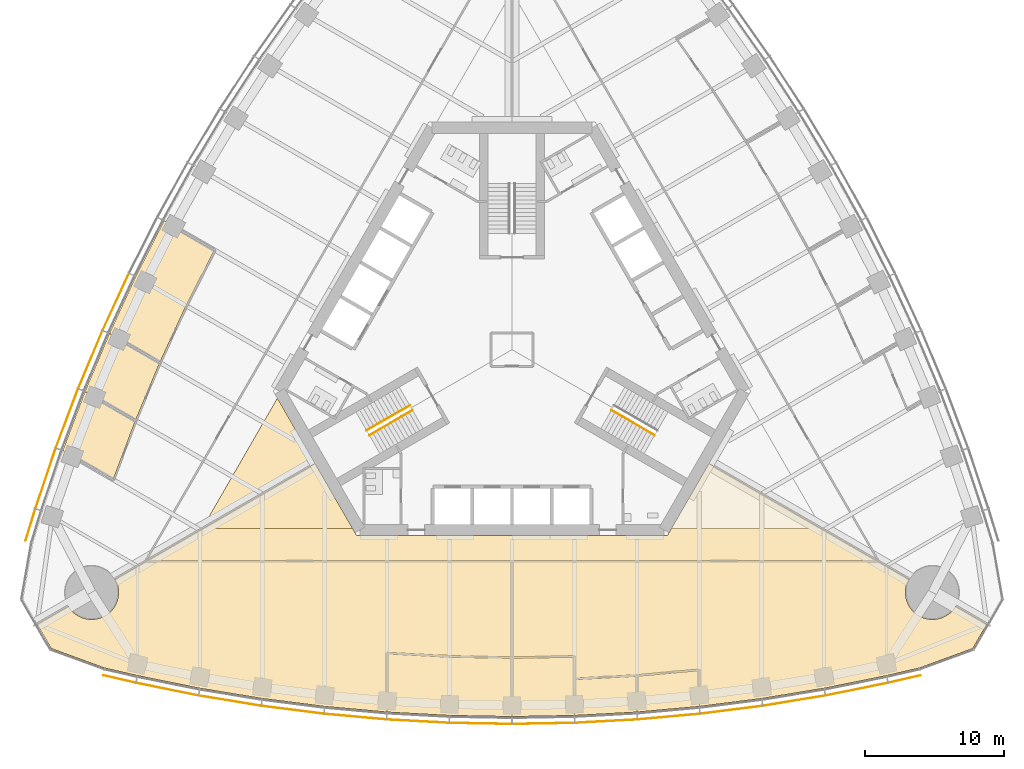
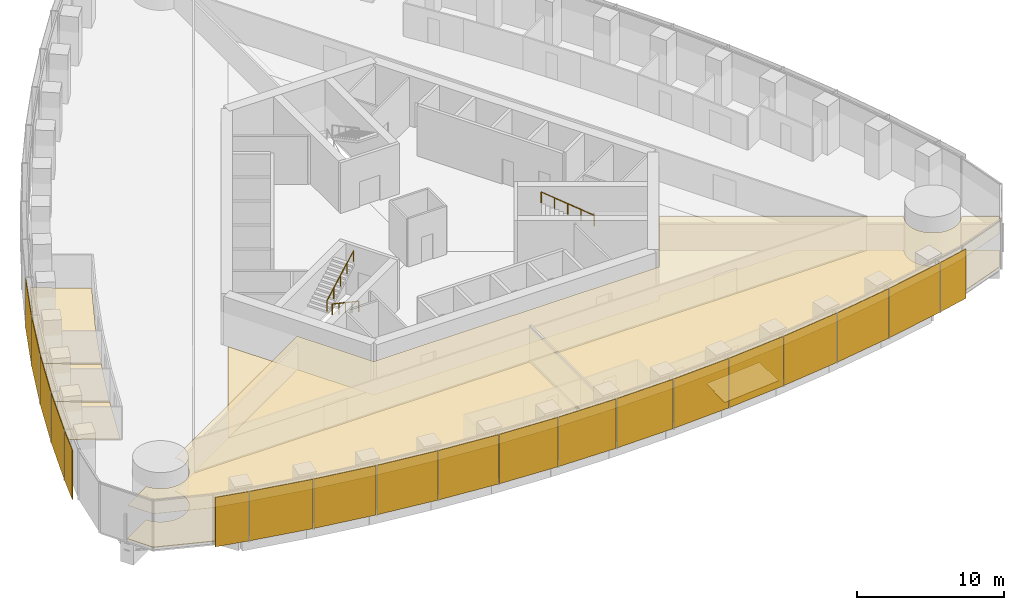
# One storey, part 15 of 19: 19 shading devices, 13 coverings, 3 railings.
"""IFC4 building model written with IfcOpenShell, lengths in metres."""

from ifc_helpers import new_model, si_unit, direction, frame, origin, origin_2d, place, context, subcontext, project, spatial, polyline, rectangle, circle, outline, extrude, material, layer, layer_set, type_object, element, save


model = new_model("IFC4")

# Units and contexts
model_context = context("Model", 3, precision=1e-05, world=origin(), true_north=direction((0.0, 1.0)))
body_context = subcontext(model_context, "Body", "Model", "MODEL_VIEW")
ifc_project = project(units=[si_unit("LENGTHUNIT", "METRE"), si_unit("AREAUNIT", "SQUARE_METRE"), si_unit("VOLUMEUNIT", "CUBIC_METRE"), si_unit("PLANEANGLEUNIT", "RADIAN"), si_unit("MASSUNIT", "GRAM", prefix="KILO")], contexts=[model_context])

# Site, building, storey
site_placement = place(None, origin())
site = spatial("IfcSite", under=ifc_project, at=site_placement, CompositionType="ELEMENT")
building_placement = place(site_placement, origin())
building = spatial("IfcBuilding", under=site, at=building_placement, Name="Trefoil Bronze Tower", CompositionType="ELEMENT")
storey_placement = place(building_placement, frame((0.0, 0.0, 119.89990234375)))
storey = spatial("IfcBuildingStorey", under=building, at=storey_placement, Name="L27", CompositionType="ELEMENT", Elevation=119.89990234375)

# Shading devices
ifc_material_1 = material(Name="Perforated bronze sheet", Category="bronze")
ifc_layer_1 = layer(ifc_material_1, 0.0400390625)
ifc_layer_set_1 = layer_set([ifc_layer_1], Name="Bronze solar screen panel")
shading_device_type = type_object("IfcShadingDeviceType", Name="Bronze solar screen panel", PredefinedType="SHUTTER", material=ifc_layer_set_1)
shading_device_1_placement = place(storey_placement, frame((-28.30078125, -23.748779296875, 0.050048828125), z_axis=(0.0, 0.0, 1.0), x_axis=(0.97420444715, -0.225667222151, 0.0)))
element("IfcShadingDevice", 1, at=shading_device_1_placement, inside=storey, type_object=shading_device_type, Name="Solar screen CW-A L27 F1 bay 1", PredefinedType="SHUTTER", context=body_context, shape_type="SweptSolid", body=[
    extrude(rectangle(XDim=2.39013671875, YDim=0.0400390625, at=origin_2d()), origin(), (0.0, 0.0, 1.0), 4.10009765625),
])
shading_device_2_placement = place(storey_placement, frame((-24.85693359375, -24.480224609375, 0.050048828125), z_axis=(0.0, 0.0, 1.0), x_axis=(0.980155155547, -0.198231861853, 0.0)))
element("IfcShadingDevice", 2, at=shading_device_2_placement, inside=storey, type_object=shading_device_type, Name="Solar screen CW-A L27 F1 bay 2", PredefinedType="SHUTTER", context=body_context, shape_type="SweptSolid", body=[
    extrude(rectangle(XDim=4.56103515625, YDim=0.0400390625, at=origin_2d()), origin(), (0.0, 0.0, 1.0), 4.10009765625),
])
shading_device_3_placement = place(storey_placement, frame((-20.337646484375, -25.30859375, 0.050048828125), z_axis=(0.0, 0.0, 1.0), x_axis=(0.986759655731, -0.162189339418, 0.0)))
element("IfcShadingDevice", 3, at=shading_device_3_placement, inside=storey, type_object=shading_device_type, Name="Solar screen CW-A L27 F1 bay 3", PredefinedType="SHUTTER", context=body_context, shape_type="SweptSolid", body=[
    extrude(rectangle(XDim=4.5302734375, YDim=0.0400390625, at=origin_2d()), origin(), (0.0, 0.0, 1.0), 4.10009765625),
])
shading_device_4_placement = place(storey_placement, frame((-15.818115234375, -25.96728515625, 0.050048828125), z_axis=(0.0, 0.0, 1.0), x_axis=(0.992011554286, -0.126147041833, 0.0)))
element("IfcShadingDevice", 4, at=shading_device_4_placement, inside=storey, type_object=shading_device_type, Name="Solar screen CW-A L27 F1 bay 4", PredefinedType="SHUTTER", context=body_context, shape_type="SweptSolid", body=[
    extrude(rectangle(XDim=4.50634765625, YDim=0.0400390625, at=origin_2d()), origin(), (0.0, 0.0, 1.0), 4.10009765625),
])
shading_device_5_placement = place(storey_placement, frame((-11.298583984375, -26.459228515625, 0.050048828125), z_axis=(0.0, 0.0, 1.0), x_axis=(0.995932279146, -0.090104913044, 0.0)))
element("IfcShadingDevice", 5, at=shading_device_5_placement, inside=storey, type_object=shading_device_type, Name="Solar screen CW-A L27 F1 bay 5", PredefinedType="SHUTTER", context=body_context, shape_type="SweptSolid", body=[
    extrude(rectangle(XDim=4.48828125, YDim=0.0400390625, at=origin_2d()), origin(), (0.0, 0.0, 1.0), 4.10009765625),
])
shading_device_6_placement = place(storey_placement, frame((-6.779296875, -26.785888671875, 0.050048828125), z_axis=(0.0, 0.0, 1.0), x_axis=(0.998537531923, -0.054062901701, 0.0)))
element("IfcShadingDevice", 6, at=shading_device_6_placement, inside=storey, type_object=shading_device_type, Name="Solar screen CW-A L27 F1 bay 6", PredefinedType="SHUTTER", context=body_context, shape_type="SweptSolid", body=[
    extrude(rectangle(XDim=4.4765625, YDim=0.0400390625, at=origin_2d()), origin(), (0.0, 0.0, 1.0), 4.10009765625),
])
for number, where, z_axis, x_axis, name in (
    (7, (-2.259765625, -26.948974609375, 0.050048828125), (0.0, 0.0, 1.0), (0.999837609322, -0.018020959612, 0.0), "Solar screen CW-A L27 F1 bay 7"),
    (8, (2.259765625, -26.948974609375, 0.050048828125), (0.0, 0.0, 1.0), (0.999837609322, 0.018020959612, 0.0), "Solar screen CW-A L27 F1 bay 8"),
):
    element("IfcShadingDevice", number, at=place(storey_placement, frame(where, z_axis=z_axis, x_axis=x_axis)), inside=storey, type_object=shading_device_type, Name=name, PredefinedType="SHUTTER", context=body_context, shape_type="SweptSolid", body=[
        extrude(rectangle(XDim=4.470703125, YDim=0.0400390625, at=origin_2d()), origin(), (0.0, 0.0, 1.0), 4.10009765625),
    ])
shading_device_7_placement = place(storey_placement, frame((6.779296875, -26.785888671875, 0.050048828125), z_axis=(0.0, 0.0, 1.0), x_axis=(0.998537531923, 0.054062901701, 0.0)))
element("IfcShadingDevice", 9, at=shading_device_7_placement, inside=storey, type_object=shading_device_type, Name="Solar screen CW-A L27 F1 bay 9", PredefinedType="SHUTTER", context=body_context, shape_type="SweptSolid", body=[
    extrude(rectangle(XDim=4.4765625, YDim=0.0400390625, at=origin_2d()), origin(), (0.0, 0.0, 1.0), 4.10009765625),
])
shading_device_8_placement = place(storey_placement, frame((11.298583984375, -26.459228515625, 0.050048828125), z_axis=(0.0, 0.0, 1.0), x_axis=(0.995932279146, 0.090104913044, 0.0)))
element("IfcShadingDevice", 10, at=shading_device_8_placement, inside=storey, type_object=shading_device_type, Name="Solar screen CW-A L27 F1 bay 10", PredefinedType="SHUTTER", context=body_context, shape_type="SweptSolid", body=[
    extrude(rectangle(XDim=4.48828125, YDim=0.0400390625, at=origin_2d()), origin(), (0.0, 0.0, 1.0), 4.10009765625),
])
shading_device_9_placement = place(storey_placement, frame((15.818115234375, -25.96728515625, 0.050048828125), z_axis=(0.0, 0.0, 1.0), x_axis=(0.992011554286, 0.126147041833, 0.0)))
element("IfcShadingDevice", 11, at=shading_device_9_placement, inside=storey, type_object=shading_device_type, Name="Solar screen CW-A L27 F1 bay 11", PredefinedType="SHUTTER", context=body_context, shape_type="SweptSolid", body=[
    extrude(rectangle(XDim=4.50634765625, YDim=0.0400390625, at=origin_2d()), origin(), (0.0, 0.0, 1.0), 4.10009765625),
])
shading_device_10_placement = place(storey_placement, frame((20.337646484375, -25.30859375, 0.050048828125), z_axis=(0.0, 0.0, 1.0), x_axis=(0.986759655731, 0.162189339418, 0.0)))
element("IfcShadingDevice", 12, at=shading_device_10_placement, inside=storey, type_object=shading_device_type, Name="Solar screen CW-A L27 F1 bay 12", PredefinedType="SHUTTER", context=body_context, shape_type="SweptSolid", body=[
    extrude(rectangle(XDim=4.5302734375, YDim=0.0400390625, at=origin_2d()), origin(), (0.0, 0.0, 1.0), 4.10009765625),
])
shading_device_11_placement = place(storey_placement, frame((24.85693359375, -24.480224609375, 0.050048828125), z_axis=(0.0, 0.0, 1.0), x_axis=(0.980155155547, 0.198231861853, 0.0)))
element("IfcShadingDevice", 13, at=shading_device_11_placement, inside=storey, type_object=shading_device_type, Name="Solar screen CW-A L27 F1 bay 13", PredefinedType="SHUTTER", context=body_context, shape_type="SweptSolid", body=[
    extrude(rectangle(XDim=4.56103515625, YDim=0.0400390625, at=origin_2d()), origin(), (0.0, 0.0, 1.0), 4.10009765625),
])
shading_device_12_placement = place(storey_placement, frame((28.30078125, -23.748779296875, 0.050048828125), z_axis=(0.0, 0.0, 1.0), x_axis=(0.97420444715, 0.225667222151, 0.0)))
element("IfcShadingDevice", 14, at=shading_device_12_placement, inside=storey, type_object=shading_device_type, Name="Solar screen CW-A L27 F1 bay 14", PredefinedType="SHUTTER", context=body_context, shape_type="SweptSolid", body=[
    extrude(rectangle(XDim=2.39013671875, YDim=0.0400390625, at=origin_2d()), origin(), (0.0, 0.0, 1.0), 4.10009765625),
])
shading_device_13_placement = place(storey_placement, frame((-28.563720703125, 3.444580078125, 0.050048828125), z_axis=(0.0, 0.0, 1.0), x_axis=(-0.419932995871, -0.907555110712, 0.0)))
element("IfcShadingDevice", 15, at=shading_device_13_placement, inside=storey, type_object=shading_device_type, Name="Solar screen CW-A L27 F3 bay 10", PredefinedType="SHUTTER", context=body_context, shape_type="SweptSolid", body=[
    extrude(rectangle(XDim=4.48828125, YDim=0.0400390625, at=origin_2d()), origin(), (0.0, 0.0, 1.0), 4.10009765625),
])
shading_device_14_placement = place(storey_placement, frame((-30.3974609375, -0.715087890625, 0.050048828125), z_axis=(0.0, 0.0, 1.0), x_axis=(-0.386759234303, -0.922180727776, 0.0)))
element("IfcShadingDevice", 16, at=shading_device_14_placement, inside=storey, type_object=shading_device_type, Name="Solar screen CW-A L27 F3 bay 11", PredefinedType="SHUTTER", context=body_context, shape_type="SweptSolid", body=[
    extrude(rectangle(XDim=4.50634765625, YDim=0.0400390625, at=origin_2d()), origin(), (0.0, 0.0, 1.0), 4.10009765625),
])
shading_device_15_placement = place(storey_placement, frame((-32.086669921875, -4.95849609375, 0.050048828125), z_axis=(0.0, 0.0, 1.0), x_axis=(-0.352919739707, -0.935653599002, 0.0)))
element("IfcShadingDevice", 17, at=shading_device_15_placement, inside=storey, type_object=shading_device_type, Name="Solar screen CW-A L27 F3 bay 12", PredefinedType="SHUTTER", context=body_context, shape_type="SweptSolid", body=[
    extrude(rectangle(XDim=4.5302734375, YDim=0.0400390625, at=origin_2d()), origin(), (0.0, 0.0, 1.0), 4.10009765625),
])
shading_device_16_placement = place(storey_placement, frame((-33.62890625, -9.286865234375, 0.050048828125), z_axis=(0.0, 0.0, 1.0), x_axis=(-0.318403749569, -0.947955195281, 0.0)))
element("IfcShadingDevice", 18, at=shading_device_16_placement, inside=storey, type_object=shading_device_type, Name="Solar screen CW-A L27 F3 bay 13", PredefinedType="SHUTTER", context=body_context, shape_type="SweptSolid", body=[
    extrude(rectangle(XDim=4.56103515625, YDim=0.0400390625, at=origin_2d()), origin(), (0.0, 0.0, 1.0), 4.10009765625),
])
shading_device_17_placement = place(storey_placement, frame((-34.717529296875, -12.634765625, 0.050048828125), z_axis=(0.0, 0.0, 1.0), x_axis=(-0.291668676391, -0.956519410787, 0.0)))
element("IfcShadingDevice", 19, at=shading_device_17_placement, inside=storey, type_object=shading_device_type, Name="Solar screen CW-A L27 F3 bay 14", PredefinedType="SHUTTER", context=body_context, shape_type="SweptSolid", body=[
    extrude(rectangle(XDim=2.39013671875, YDim=0.0400390625, at=origin_2d()), origin(), (0.0, 0.0, 1.0), 4.10009765625),
])

# Railings
ifc_material_2 = material(Name="Steel handrail", Category="steel")
railing_type = type_object("IfcRailingType", Name="Handrail 900", PredefinedType="HANDRAIL", material=ifc_material_2)
railing_1_placement = place(storey_placement, frame((10.28369140625, -6.168212890625, 2.26171875)))
element("IfcRailing", 20, at=railing_1_placement, inside=storey, type_object=railing_type, Name="Handrail ST1 flight 2 L27", PredefinedType="HANDRAIL", context=body_context, shape_type="SweptSolid", body=[
    extrude(circle(Radius=0.02392578125, at=origin_2d()), frame((0.0, 0.0, 0.8759765625), z_axis=(-0.76250339821, 0.440245697338, 0.474101564745), x_axis=(-0.500012057535, -0.866018442252, 0.0)), (0.0, 0.0, 1.0), 4.088623046875),
    extrude(circle(Radius=0.02099609375, at=origin_2d()), origin(), (0.0, 0.0, 1.0), 0.851806640625),
    extrude(circle(Radius=0.02099609375, at=origin_2d()), frame((-0.779296875, 0.449951171875, 0.484619140625)), (0.0, 0.0, 1.0), 0.851806640625),
    extrude(circle(Radius=0.02099609375, at=origin_2d()), frame((-1.558837890625, 0.89990234375, 0.96923828125)), (0.0, 0.0, 1.0), 0.851806640625),
    extrude(circle(Radius=0.02099609375, at=origin_2d()), frame((-2.33837890625, 1.35009765625, 1.453857421875)), (0.0, 0.0, 1.0), 0.851806640625),
    extrude(circle(Radius=0.02099609375, at=origin_2d()), frame((-3.11767578125, 1.800048828125, 1.9384765625)), (0.0, 0.0, 1.0), 0.851806640625),
])
railing_2_placement = place(storey_placement, frame((-7.166015625, -4.3681640625, 0.16162109375)))
element("IfcRailing", 21, at=railing_2_placement, inside=storey, type_object=railing_type, Name="Handrail ST3 flight 1 L27", PredefinedType="HANDRAIL", context=body_context, shape_type="SweptSolid", body=[
    extrude(circle(Radius=0.02392578125, at=origin_2d()), frame((0.0, 0.0, 0.8759765625), z_axis=(-0.76250339821, -0.440245697338, 0.474101564745), x_axis=(0.500012057535, -0.866018442252, 0.0)), (0.0, 0.0, 1.0), 4.088623046875),
    extrude(circle(Radius=0.02099609375, at=origin_2d()), origin(), (0.0, 0.0, 1.0), 0.851806640625),
    extrude(circle(Radius=0.02099609375, at=origin_2d()), frame((-0.779296875, -0.449951171875, 0.484619140625)), (0.0, 0.0, 1.0), 0.851806640625),
    extrude(circle(Radius=0.02099609375, at=origin_2d()), frame((-1.558837890625, -0.89990234375, 0.96923828125)), (0.0, 0.0, 1.0), 0.851806640625),
    extrude(circle(Radius=0.02099609375, at=origin_2d()), frame((-2.33837890625, -1.35009765625, 1.453857421875)), (0.0, 0.0, 1.0), 0.851806640625),
    extrude(circle(Radius=0.02099609375, at=origin_2d()), frame((-3.11767578125, -1.800048828125, 1.9384765625)), (0.0, 0.0, 1.0), 0.851806640625),
])
railing_3_placement = place(storey_placement, frame((-10.483642578125, -5.82177734375, 2.26171875)))
element("IfcRailing", 22, at=railing_3_placement, inside=storey, type_object=railing_type, Name="Handrail ST3 flight 2 L27", PredefinedType="HANDRAIL", context=body_context, shape_type="SweptSolid", body=[
    extrude(circle(Radius=0.02392578125, at=origin_2d()), frame((0.0, 0.0, 0.8759765625), z_axis=(0.76250339821, 0.440245697338, 0.474101564745), x_axis=(-0.500012057535, 0.866018442252, 0.0)), (0.0, 0.0, 1.0), 4.088623046875),
    extrude(circle(Radius=0.02099609375, at=origin_2d()), origin(), (0.0, 0.0, 1.0), 0.851806640625),
    extrude(circle(Radius=0.02099609375, at=origin_2d()), frame((0.779296875, 0.449951171875, 0.484619140625)), (0.0, 0.0, 1.0), 0.851806640625),
    extrude(circle(Radius=0.02099609375, at=origin_2d()), frame((1.558837890625, 0.89990234375, 0.96923828125)), (0.0, 0.0, 1.0), 0.851806640625),
    extrude(circle(Radius=0.02099609375, at=origin_2d()), frame((2.33837890625, 1.35009765625, 1.453857421875)), (0.0, 0.0, 1.0), 0.851806640625),
    extrude(circle(Radius=0.02099609375, at=origin_2d()), frame((3.11767578125, 1.800048828125, 1.9384765625)), (0.0, 0.0, 1.0), 0.851806640625),
])

# Coverings
ifc_material_3 = material(Name="Acoustic ceiling panels", Category="mineral fibre")
ifc_layer_2 = layer(ifc_material_3, 0.02001953125)
ifc_layer_set_2 = layer_set([ifc_layer_2], Name="Office ceiling 20")
covering_type_1 = type_object("IfcCoveringType", Name="Office ceiling 20", PredefinedType="CEILING", material=ifc_layer_set_2)
covering_1_placement = place(storey_placement, frame((0.0, 0.0, 2.900146484375)))
element("IfcCovering", 23, at=covering_1_placement, inside=storey, type_object=covering_type_1, Name="Ceiling L27 Trading floor F1", PredefinedType="CEILING", context=body_context, shape_type="SweptSolid", body=[
    extrude(outline(polyline([(-31.932373046875, -18.58349609375), (-31.877197265625, -18.66162109375), (-31.818359375, -18.737060546875), (-31.755615234375, -18.8095703125), (-31.689697265625, -18.87890625), (-31.620361328125, -18.94482421875), (-31.548095703125, -19.00732421875), (-31.472412109375, -19.06640625), (-31.394287109375, -19.121337890625), (-31.3134765625, -19.172607421875), (-31.22998046875, -19.2197265625), (-31.14453125, -19.2626953125), (-31.05712890625, -19.301513671875), (-30.9677734375, -19.3359375), (-30.876953125, -19.365966796875), (-30.78466796875, -19.3916015625), (-30.69140625, -19.41259765625), (-30.596923828125, -19.428955078125), (-30.501953125, -19.440673828125), (-30.406494140625, -19.44775390625), (-30.310791015625, -19.449951171875), (-30.215087890625, -19.44775390625), (-30.119873046875, -19.440673828125), (-30.02490234375, -19.428955078125), (-29.930419921875, -19.41259765625), (-29.837158203125, -19.3916015625), (-29.744873046875, -19.365966796875), (-29.654052734375, -19.3359375), (-29.564697265625, -19.301513671875), (-29.477294921875, -19.2626953125), (-29.3916015625, -19.2197265625), (-29.308349609375, -19.172607421875), (-29.2275390625, -19.121337890625), (-29.1494140625, -19.06640625), (-29.07373046875, -19.00732421875), (-29.001220703125, -18.94482421875), (-28.931884765625, -18.87890625), (-28.865966796875, -18.8095703125), (-28.803466796875, -18.737060546875), (-28.74462890625, -18.66162109375), (-28.689453125, -18.58349609375), (-28.63818359375, -18.50244140625), (-28.591064453125, -18.419189453125), (-28.548095703125, -18.333740234375), (-28.50927734375, -18.24609375), (-28.474853515625, -18.156982421875), (-28.44482421875, -18.066162109375), (-28.419189453125, -17.973876953125), (-28.3984375, -17.88037109375), (-28.382080078125, -17.7861328125), (-28.370361328125, -17.691162109375), (-28.36328125, -17.595703125), (-28.36083984375, -17.5), (-28.36328125, -17.404296875), (-28.370361328125, -17.308837890625), (-28.382080078125, -17.2138671875), (-28.3984375, -17.11962890625), (-28.419189453125, -17.026123046875), (-28.44482421875, -16.933837890625), (-28.474853515625, -16.843017578125), (-28.50927734375, -16.75390625), (-28.548095703125, -16.666259765625), (-28.591064453125, -16.580810546875), (-28.616455078125, -16.535888671875), (-14.19970703125, -8.205322265625), (-11.20068359375, -13.39990234375), (11.20068359375, -13.39990234375), (14.19970703125, -8.205322265625), (28.616455078125, -16.535888671875), (28.591064453125, -16.580810546875), (28.548095703125, -16.666259765625), (28.50927734375, -16.75390625), (28.474853515625, -16.843017578125), (28.44482421875, -16.933837890625), (28.419189453125, -17.026123046875), (28.3984375, -17.11962890625), (28.382080078125, -17.2138671875), (28.370361328125, -17.308837890625), (28.36328125, -17.404296875), (28.36083984375, -17.5), (28.36328125, -17.595703125), (28.370361328125, -17.691162109375), (28.382080078125, -17.7861328125), (28.3984375, -17.88037109375), (28.419189453125, -17.973876953125), (28.44482421875, -18.066162109375), (28.474853515625, -18.156982421875), (28.50927734375, -18.24609375), (28.548095703125, -18.333740234375), (28.591064453125, -18.419189453125), (28.63818359375, -18.50244140625), (28.689453125, -18.58349609375), (28.74462890625, -18.66162109375), (28.803466796875, -18.737060546875), (28.865966796875, -18.8095703125), (28.931884765625, -18.87890625), (29.001220703125, -18.94482421875), (29.07373046875, -19.00732421875), (29.1494140625, -19.06640625), (29.2275390625, -19.121337890625), (29.308349609375, -19.172607421875), (29.3916015625, -19.2197265625), (29.477294921875, -19.2626953125), (29.564697265625, -19.301513671875), (29.654052734375, -19.3359375), (29.744873046875, -19.365966796875), (29.837158203125, -19.3916015625), (29.930419921875, -19.41259765625), (30.02490234375, -19.428955078125), (30.119873046875, -19.440673828125), (30.215087890625, -19.44775390625), (30.310791015625, -19.449951171875), (30.406494140625, -19.44775390625), (30.501953125, -19.440673828125), (30.596923828125, -19.428955078125), (30.69140625, -19.41259765625), (30.78466796875, -19.3916015625), (30.876953125, -19.365966796875), (30.9677734375, -19.3359375), (31.05712890625, -19.301513671875), (31.14453125, -19.2626953125), (31.22998046875, -19.2197265625), (31.3134765625, -19.172607421875), (31.394287109375, -19.121337890625), (31.472412109375, -19.06640625), (31.548095703125, -19.00732421875), (31.620361328125, -18.94482421875), (31.689697265625, -18.87890625), (31.755615234375, -18.8095703125), (31.818359375, -18.737060546875), (31.877197265625, -18.66162109375), (31.932373046875, -18.58349609375), (31.992431640625, -18.48681640625), (34.233154296875, -19.781494140625), (33.21435546875, -21.5458984375), (29.357666015625, -22.94970703125), (27.0, -23.495849609375), (22.5, -24.406005859375), (18.0, -25.1455078125), (13.5, -25.7177734375), (9.0, -26.125), (4.5, -26.36865234375), (0.0, -26.44970703125), (-4.5, -26.36865234375), (-9.0, -26.125), (-13.5, -25.7177734375), (-18.0, -25.1455078125), (-22.5, -24.406005859375), (-27.0, -23.495849609375), (-29.357666015625, -22.94970703125), (-33.21435546875, -21.5458984375), (-34.233154296875, -19.781494140625), (-31.992431640625, -18.48681640625), (-31.932373046875, -18.58349609375)])), origin(), (0.0, 0.0, 1.0), 0.02001953125),
])
ifc_material_4 = material(Name="Raised access floor panels", Category="steel")
ifc_layer_3 = layer(ifc_material_4, 0.050048828125)
ifc_layer_set_3 = layer_set([ifc_layer_3], Name="Raised access floor 150")
covering_type_2 = type_object("IfcCoveringType", Name="Raised access floor 150", PredefinedType="FLOORING", material=ifc_layer_set_3)
covering_2_placement = place(storey_placement, frame((0.0, 0.0, 0.10009765625)))
element("IfcCovering", 24, at=covering_2_placement, inside=storey, type_object=covering_type_2, Name="Raised floor L27 Office F1", PredefinedType="FLOORING", context=body_context, shape_type="SweptSolid", body=[
    extrude(outline(polyline([(-4.5, -26.36865234375), (-9.0, -26.125), (-9.0, -24.64111328125), (-8.93994140625, -24.64111328125), (-8.93994140625, -21.938232421875), (-4.503173828125, -22.178466796875), (-4.5, -22.11865234375), (-4.501220703125, -22.1787109375), (-0.074951171875, -22.25830078125), (-0.074951171875, -24.9697265625), (0.0, -24.9697265625), (0.0, -26.44970703125), (-4.5, -26.36865234375)])), origin(), (0.0, 0.0, 1.0), 0.050048828125),
])
covering_3_placement = place(storey_placement, frame((0.0, 0.0, 0.10009765625)))
element("IfcCovering", 25, at=covering_3_placement, inside=storey, type_object=covering_type_2, Name="Raised floor L27 Meeting room F1", PredefinedType="FLOORING", context=body_context, shape_type="SweptSolid", body=[
    extrude(outline(polyline([(4.5, -26.36865234375), (0.0, -26.44970703125), (0.0, -24.9697265625), (0.074951171875, -24.9697265625), (0.074951171875, -22.25830078125), (4.43994140625, -22.1796875), (4.43994140625, -24.8876953125), (4.5, -24.8876953125), (4.5, -26.36865234375)])), origin(), (0.0, 0.0, 1.0), 0.050048828125),
])
covering_4_placement = place(storey_placement, frame((0.0, 0.0, 0.10009765625)))
element("IfcCovering", 26, at=covering_4_placement, inside=storey, type_object=covering_type_2, Name="Raised floor L27 Comms room F1", PredefinedType="FLOORING", context=body_context, shape_type="SweptSolid", body=[
    extrude(outline(polyline([(9.0, -26.125), (4.5, -26.36865234375), (4.5, -24.8876953125), (4.56005859375, -24.8876953125), (4.56005859375, -23.790283203125), (8.93994140625, -23.55322265625), (8.93994140625, -24.64111328125), (9.0, -24.64111328125), (9.0, -26.125)])), origin(), (0.0, 0.0, 1.0), 0.050048828125),
])
covering_5_placement = place(storey_placement, frame((0.0, 0.0, 0.10009765625)))
element("IfcCovering", 27, at=covering_5_placement, inside=storey, type_object=covering_type_2, Name="Raised floor L27 Comms room F1", PredefinedType="FLOORING", context=body_context, shape_type="SweptSolid", body=[
    extrude(outline(polyline([(13.5, -25.7177734375), (9.0, -26.125), (9.0, -24.64111328125), (9.06005859375, -24.64111328125), (9.06005859375, -23.544677734375), (13.43994140625, -23.1484375), (13.43994140625, -24.22900390625), (13.5, -24.22900390625), (13.5, -25.7177734375)])), origin(), (0.0, 0.0, 1.0), 0.050048828125),
])
covering_6_placement = place(storey_placement, frame((0.0, 0.0, 0.10009765625)))
element("IfcCovering", 28, at=covering_6_placement, inside=storey, type_object=covering_type_2, Name="Raised floor L27 Corridor F1", PredefinedType="FLOORING", context=body_context, shape_type="SweptSolid", body=[
    extrude(outline(polyline([(-26.304443359375, -15.199951171875), (-22.32421875, -12.89990234375), (-11.4892578125, -12.89990234375), (-11.20068359375, -13.39990234375), (11.20068359375, -13.39990234375), (11.4892578125, -12.89990234375), (22.32421875, -12.89990234375), (26.304443359375, -15.199951171875), (-26.304443359375, -15.199951171875)])), origin(), (0.0, 0.0, 1.0), 0.050048828125),
])
covering_7_placement = place(storey_placement, frame((0.0, 0.0, 0.10009765625)))
element("IfcCovering", 29, at=covering_7_placement, inside=storey, type_object=covering_type_2, Name="Raised floor L27 Trading floor F1", PredefinedType="FLOORING", context=body_context, shape_type="SweptSolid", body=[
    extrude(outline(polyline([(-28.50927734375, -16.75390625), (-28.548095703125, -16.666259765625), (-28.591064453125, -16.580810546875), (-28.616455078125, -16.535888671875), (-26.398193359375, -15.254150390625), (-26.398193359375, -15.320068359375), (-0.074951171875, -15.320068359375), (-0.074951171875, -22.13818359375), (-3.322998046875, -22.079833984375), (-5.672607421875, -21.9951171875), (-8.996826171875, -21.81494140625), (-9.0, -21.875), (-9.06005859375, -21.875), (-9.06005859375, -24.64111328125), (-9.0, -24.64111328125), (-9.0, -26.125), (-13.5, -25.7177734375), (-18.0, -25.1455078125), (-22.5, -24.406005859375), (-27.0, -23.495849609375), (-29.357666015625, -22.94970703125), (-33.21435546875, -21.5458984375), (-34.233154296875, -19.781494140625), (-31.992431640625, -18.48681640625), (-31.932373046875, -18.58349609375), (-31.877197265625, -18.66162109375), (-31.818359375, -18.737060546875), (-31.755615234375, -18.8095703125), (-31.689697265625, -18.87890625), (-31.620361328125, -18.94482421875), (-31.548095703125, -19.00732421875), (-31.472412109375, -19.06640625), (-31.394287109375, -19.121337890625), (-31.3134765625, -19.172607421875), (-31.22998046875, -19.2197265625), (-31.14453125, -19.2626953125), (-31.05712890625, -19.301513671875), (-30.9677734375, -19.3359375), (-30.876953125, -19.365966796875), (-30.78466796875, -19.3916015625), (-30.69140625, -19.41259765625), (-30.596923828125, -19.428955078125), (-30.501953125, -19.440673828125), (-30.406494140625, -19.44775390625), (-30.310791015625, -19.449951171875), (-30.215087890625, -19.44775390625), (-30.119873046875, -19.440673828125), (-30.02490234375, -19.428955078125), (-29.930419921875, -19.41259765625), (-29.837158203125, -19.3916015625), (-29.744873046875, -19.365966796875), (-29.654052734375, -19.3359375), (-29.564697265625, -19.301513671875), (-29.477294921875, -19.2626953125), (-29.3916015625, -19.2197265625), (-29.308349609375, -19.172607421875), (-29.2275390625, -19.121337890625), (-29.1494140625, -19.06640625), (-29.07373046875, -19.00732421875), (-29.001220703125, -18.94482421875), (-28.931884765625, -18.87890625), (-28.865966796875, -18.8095703125), (-28.803466796875, -18.737060546875), (-28.74462890625, -18.66162109375), (-28.689453125, -18.58349609375), (-28.63818359375, -18.50244140625), (-28.591064453125, -18.419189453125), (-28.548095703125, -18.333740234375), (-28.50927734375, -18.24609375), (-28.474853515625, -18.156982421875), (-28.44482421875, -18.066162109375), (-28.419189453125, -17.973876953125), (-28.3984375, -17.88037109375), (-28.382080078125, -17.7861328125), (-28.370361328125, -17.691162109375), (-28.36328125, -17.595703125), (-28.36083984375, -17.5), (-28.36328125, -17.404296875), (-28.370361328125, -17.308837890625), (-28.382080078125, -17.2138671875), (-28.3984375, -17.11962890625), (-28.419189453125, -17.026123046875), (-28.44482421875, -16.933837890625), (-28.474853515625, -16.843017578125), (-28.50927734375, -16.75390625)])), origin(), (0.0, 0.0, 1.0), 0.050048828125),
])
covering_8_placement = place(storey_placement, frame((0.0, 0.0, 0.10009765625)))
element("IfcCovering", 30, at=covering_8_placement, inside=storey, type_object=covering_type_2, Name="Raised floor L27 Trading floor F1", PredefinedType="FLOORING", context=body_context, shape_type="SweptSolid", body=[
    extrude(outline(polyline([(13.5, -24.22900390625), (13.56005859375, -24.22900390625), (13.56005859375, -23.082763671875), (13.5, -23.082763671875), (13.49462890625, -23.02294921875), (8.99560546875, -23.43017578125), (4.56005859375, -23.670166015625), (4.56005859375, -22.11865234375), (4.5, -22.11865234375), (4.498779296875, -22.05859375), (0.074951171875, -22.13818359375), (0.074951171875, -15.320068359375), (26.398193359375, -15.320068359375), (26.398193359375, -15.254150390625), (28.616455078125, -16.535888671875), (28.591064453125, -16.580810546875), (28.548095703125, -16.666259765625), (28.50927734375, -16.75390625), (28.474853515625, -16.843017578125), (28.44482421875, -16.933837890625), (28.419189453125, -17.026123046875), (28.3984375, -17.11962890625), (28.382080078125, -17.2138671875), (28.370361328125, -17.308837890625), (28.36328125, -17.404296875), (28.36083984375, -17.5), (28.36328125, -17.595703125), (28.370361328125, -17.691162109375), (28.382080078125, -17.7861328125), (28.3984375, -17.88037109375), (28.419189453125, -17.973876953125), (28.44482421875, -18.066162109375), (28.474853515625, -18.156982421875), (28.50927734375, -18.24609375), (28.548095703125, -18.333740234375), (28.591064453125, -18.419189453125), (28.63818359375, -18.50244140625), (28.689453125, -18.58349609375), (28.74462890625, -18.66162109375), (28.803466796875, -18.737060546875), (28.865966796875, -18.8095703125), (28.931884765625, -18.87890625), (29.001220703125, -18.94482421875), (29.07373046875, -19.00732421875), (29.1494140625, -19.06640625), (29.2275390625, -19.121337890625), (29.308349609375, -19.172607421875), (29.3916015625, -19.2197265625), (29.477294921875, -19.2626953125), (29.564697265625, -19.301513671875), (29.654052734375, -19.3359375), (29.744873046875, -19.365966796875), (29.837158203125, -19.3916015625), (29.930419921875, -19.41259765625), (30.02490234375, -19.428955078125), (30.119873046875, -19.440673828125), (30.215087890625, -19.44775390625), (30.310791015625, -19.449951171875), (30.406494140625, -19.44775390625), (30.501953125, -19.440673828125), (30.596923828125, -19.428955078125), (30.69140625, -19.41259765625), (30.78466796875, -19.3916015625), (30.876953125, -19.365966796875), (30.9677734375, -19.3359375), (31.05712890625, -19.301513671875), (31.14453125, -19.2626953125), (31.22998046875, -19.2197265625), (31.3134765625, -19.172607421875), (31.394287109375, -19.121337890625), (31.472412109375, -19.06640625), (31.548095703125, -19.00732421875), (31.620361328125, -18.94482421875), (31.689697265625, -18.87890625), (31.755615234375, -18.8095703125), (31.818359375, -18.737060546875), (31.877197265625, -18.66162109375), (31.932373046875, -18.58349609375), (31.992431640625, -18.48681640625), (34.233154296875, -19.781494140625), (33.21435546875, -21.5458984375), (29.357666015625, -22.94970703125), (27.0, -23.495849609375), (22.5, -24.406005859375), (18.0, -25.1455078125), (13.5, -25.7177734375), (13.5, -24.22900390625)])), origin(), (0.0, 0.0, 1.0), 0.050048828125),
])
covering_9_placement = place(storey_placement, frame((0.0, 0.0, 0.10009765625)))
element("IfcCovering", 31, at=covering_9_placement, inside=storey, type_object=covering_type_2, Name="Raised floor L27 Trading floor F1", PredefinedType="FLOORING", context=body_context, shape_type="SweptSolid", body=[
    extrude(outline(polyline([(-22.32421875, -12.89990234375), (-14.19970703125, -8.205322265625), (-11.4892578125, -12.89990234375), (-22.32421875, -12.89990234375)])), origin(), (0.0, 0.0, 1.0), 0.050048828125),
])
covering_10_placement = place(storey_placement, frame((0.0, 0.0, 0.10009765625)))
element("IfcCovering", 32, at=covering_10_placement, inside=storey, type_object=covering_type_2, Name="Raised floor L27 Office F3", PredefinedType="FLOORING", context=body_context, shape_type="SweptSolid", body=[
    extrude(outline(polyline([(-27.124755859375, 5.268310546875), (-25.085693359375, 9.287109375), (-23.80322265625, 8.546630859375), (-23.833251953125, 8.49462890625), (-21.484619140625, 7.138671875), (-23.497802734375, 3.17041015625), (-23.444091796875, 3.143310546875), (-23.498779296875, 3.16845703125), (-25.368408203125, -0.87255859375), (-27.702880859375, 0.47509765625), (-27.73291015625, 0.423095703125), (-29.022216796875, 1.16748046875), (-27.124755859375, 5.268310546875)])), origin(), (0.0, 0.0, 1.0), 0.050048828125),
])
covering_11_placement = place(storey_placement, frame((0.0, 0.0, 0.10009765625)))
element("IfcCovering", 33, at=covering_11_placement, inside=storey, type_object=covering_type_2, Name="Raised floor L27 Meeting room F3", PredefinedType="FLOORING", context=body_context, shape_type="SweptSolid", body=[
    extrude(outline(polyline([(-30.776611328125, -3.015625), (-29.022216796875, 1.16748046875), (-27.73291015625, 0.423095703125), (-27.762939453125, 0.371337890625), (-25.41748046875, -0.98291015625), (-27.125, -5.0546875), (-29.451416015625, -3.71142578125), (-29.4814453125, -3.763427734375), (-30.776611328125, -3.015625)])), origin(), (0.0, 0.0, 1.0), 0.050048828125),
])
covering_12_placement = place(storey_placement, frame((0.0, 0.0, 0.10009765625)))
element("IfcCovering", 34, at=covering_12_placement, inside=storey, type_object=covering_type_2, Name="Raised floor L27 Meeting room F3", PredefinedType="FLOORING", context=body_context, shape_type="SweptSolid", body=[
    extrude(outline(polyline([(-32.385986328125, -7.28271484375), (-30.776611328125, -3.015625), (-29.4814453125, -3.763427734375), (-29.511474609375, -3.8154296875), (-27.170166015625, -5.167236328125), (-28.73681640625, -9.3203125), (-31.05322265625, -7.98291015625), (-31.083251953125, -8.034912109375), (-32.385986328125, -7.28271484375)])), origin(), (0.0, 0.0, 1.0), 0.050048828125),
])
covering_13_placement = place(storey_placement, frame((0.0, 0.0, 0.10009765625)))
element("IfcCovering", 35, at=covering_13_placement, inside=storey, type_object=covering_type_2, Name="Raised floor L27 Operations floor F3", PredefinedType="FLOORING", context=body_context, shape_type="SweptSolid", body=[
    extrude(outline(polyline([(-14.205810546875, -8.194580078125), (-22.333740234375, -12.88330078125), (-16.91650390625, -3.5), (-14.205810546875, -8.194580078125)])), origin(), (0.0, 0.0, 1.0), 0.050048828125),
])

save(model, "model.ifc")
